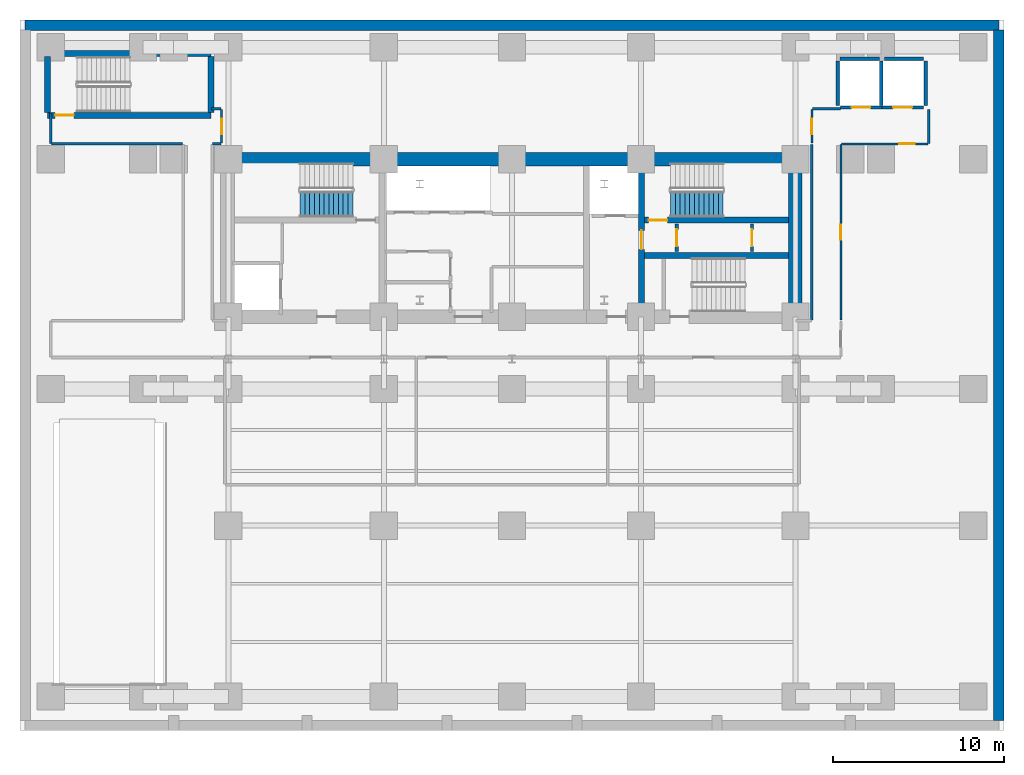
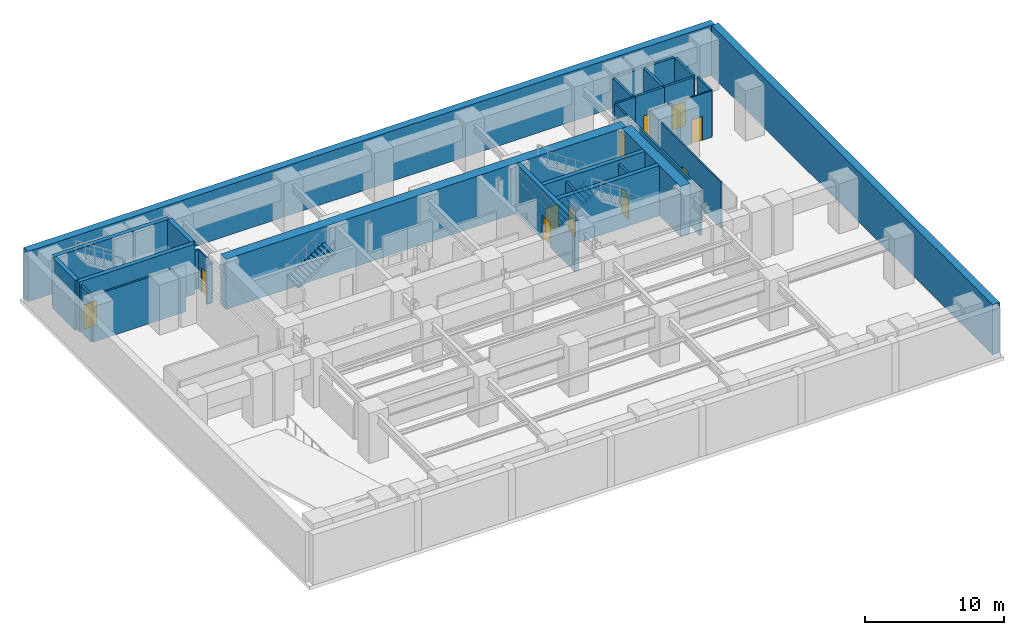
# One storey, part 4 of 9: 31 walls, 11 doors, 2 stair flights, 11 openings, 2 elements without a shape of their own.
"""IFC4 building model written with IfcOpenShell, lengths in metres."""

from ifc_helpers import new_model, si_unit, direction, frame, frame_2d, origin, place, context, subcontext, project, spatial, polyline, rectangle, outline, extrude, material, layer, layer_set, type_object, element, fill, aggregate, save


model = new_model("IFC4")

# Units and contexts
model_context = context("Model", 3, precision=1e-05, world=origin(), true_north=direction((0.0, 1.0)))
body_context = subcontext(model_context, "Body", "Model", "MODEL_VIEW")
ifc_project = project(units=[si_unit("LENGTHUNIT", "METRE"), si_unit("AREAUNIT", "SQUARE_METRE"), si_unit("VOLUMEUNIT", "CUBIC_METRE"), si_unit("PLANEANGLEUNIT", "RADIAN"), si_unit("MASSUNIT", "GRAM", prefix="KILO")], contexts=[model_context])

# Site, building, storey
site_placement = place(None, origin())
site = spatial("IfcSite", under=ifc_project, at=site_placement, CompositionType="ELEMENT")
building_placement = place(site_placement, origin())
building = spatial("IfcBuilding", under=site, at=building_placement, Name="Zarnavel Station Tower", CompositionType="ELEMENT")
storey_placement = place(building_placement, frame((0.0, 0.0, -8.800048828125)))
storey = spatial("IfcBuildingStorey", under=building, at=storey_placement, Name="B02", CompositionType="ELEMENT", Elevation=-8.800048828125)

# Wall, opening, door
ifc_material_1 = material(Name="Concrete C50/60", Category="concrete")
ifc_layer_1 = layer(ifc_material_1, 0.35009765625)
ifc_layer_set_1 = layer_set([ifc_layer_1], Name="CW_350")
wall_type_1 = type_object("IfcWallType", Name="CW_350", PredefinedType="SHEAR", material=ifc_layer_set_1)
wall_1_placement = place(storey_placement, frame((36.3798828125, 28.219970703125, 0.0), z_axis=(0.0, 0.0, 1.0), x_axis=(0.0, 1.0, 0.0)))
wall_1 = element("IfcWall", 1, at=wall_1_placement, inside=storey, type_object=wall_type_1, Name="B02 Rear Core Shear Wall DIV-S2", PredefinedType="SHEAR", context=body_context, shape_type="SweptSolid", body=[
    extrude(rectangle(XDim=8.429931640625, YDim=0.35009765625, at=frame_2d((4.21484375, 0.0))), origin(), (0.0, 0.0, 1.0), 4.400146484375),
])
opening_1_placement = place(wall_1_placement, frame((3.56005859375, 0.0, 0.0)))
opening_1 = element("IfcOpeningElement", 2, at=opening_1_placement, cuts=wall_1, Name="Opening FD01", PredefinedType="OPENING", context=body_context, shape_type="SweptSolid", body=[
    extrude(rectangle(XDim=1.10009765625, YDim=2.14990234375, at=frame_2d((0.550048828125, 1.074951171875))), frame((0.0, 0.18505859375, 0.0), z_axis=(0.0, -1.0, 0.0), x_axis=(1.0, 0.0, 0.0)), (0.0, 0.0, 1.0), 0.3701171875),
])
ifc_material_2 = material(Name="Painted Galvanised Steel and Hardwood Leaf", Category="steel")
door_type_1 = type_object("IfcDoorType", Name="ID_STAIR_1100", OperationType="NOTDEFINED", PredefinedType="DOOR", material=ifc_material_2)
door_1_placement = place(opening_1_placement, origin())
door_1 = element("IfcDoor", 3, at=door_1_placement, inside=storey, type_object=door_type_1, Name="B02 East Stair Vestibule Fire Door", OperationType="SINGLE_SWING_LEFT", OverallHeight=2.14990234375, OverallWidth=1.10009765625, PredefinedType="DOOR", context=body_context, shape_type="SweptSolid", body=[
    extrude(rectangle(XDim=1.10009765625, YDim=2.14990234375, at=frame_2d((0.550048828125, 1.074951171875))), frame((0.0, 0.02490234375, 0.0), z_axis=(0.0, -1.0, 0.0), x_axis=(1.0, 0.0, 0.0)), (0.0, 0.0, 1.0), 0.050048828125),
])
fill(opening_1, door_1)

wall_2_placement = place(storey_placement, frame((44.97998046875, 33.47998046875, 0.0), z_axis=(0.0, 0.0, 1.0), x_axis=(-1.0, 0.0, 0.0)))
wall_2 = element("IfcWall", 4, at=wall_2_placement, inside=storey, type_object=wall_type_1, Name="B02 Rear Core Shear Wall DIV-H2", PredefinedType="SHEAR", context=body_context, shape_type="SweptSolid", body=[
    extrude(rectangle(XDim=8.425048828125, YDim=0.35009765625, at=frame_2d((4.21240234375, 0.0))), origin(), (0.0, 0.0, 1.0), 4.400146484375),
])
opening_2_placement = place(wall_2_placement, frame((7.080078125, 0.0, 0.0)))
opening_2 = element("IfcOpeningElement", 5, at=opening_2_placement, cuts=wall_2, Name="Opening FD01", PredefinedType="OPENING", context=body_context, shape_type="SweptSolid", body=[
    extrude(rectangle(XDim=1.10009765625, YDim=2.14990234375, at=frame_2d((0.550048828125, 1.074951171875))), frame((0.0, 0.18505859375, 0.0), z_axis=(0.0, -1.0, 0.0), x_axis=(1.0, 0.0, 0.0)), (0.0, 0.0, 1.0), 0.3701171875),
])
door_2_placement = place(opening_2_placement, origin())
door_2 = element("IfcDoor", 6, at=door_2_placement, inside=storey, type_object=door_type_1, Name="B02 Stair ST2 Lobby Fire Door", OperationType="SINGLE_SWING_RIGHT", OverallHeight=2.14990234375, OverallWidth=1.10009765625, PredefinedType="DOOR", context=body_context, shape_type="SweptSolid", body=[
    extrude(rectangle(XDim=1.10009765625, YDim=2.14990234375, at=frame_2d((0.550048828125, 1.074951171875))), frame((0.0, 0.02490234375, 0.0), z_axis=(0.0, -1.0, 0.0), x_axis=(1.0, 0.0, 0.0)), (0.0, 0.0, 1.0), 0.050048828125),
])
fill(opening_2, door_2)

# Walls
wall_3_placement = place(storey_placement, frame((36.554931640625, 31.419921875, 0.0), z_axis=(0.0, 0.0, 1.0), x_axis=(1.0, 0.0, 0.0)))
element("IfcWall", 7, at=wall_3_placement, inside=storey, type_object=wall_type_1, Name="B02 Rear Core Shear Wall DIV-H3", PredefinedType="SHEAR", context=body_context, shape_type="SweptSolid", body=[
    extrude(rectangle(XDim=8.425048828125, YDim=0.35009765625, at=frame_2d((4.21240234375, 0.0))), origin(), (0.0, 0.0, 1.0), 4.400146484375),
])
wall_4_placement = place(storey_placement, frame((1.6201171875, 43.239990234375, 0.0), z_axis=(0.0, 0.0, 1.0), x_axis=(1.0, 0.0, 0.0)))
element("IfcWall", 8, at=wall_4_placement, inside=storey, type_object=wall_type_1, Name="B02 Rear Core Shear Wall ST4-N", PredefinedType="SHEAR", context=body_context, shape_type="SweptSolid", body=[
    extrude(rectangle(XDim=9.559814453125, YDim=0.35009765625, at=frame_2d((4.77978515625, 0.0))), origin(), (0.0, 0.0, 1.0), 4.400146484375),
])

# Wall, opening, door
wall_5_placement = place(storey_placement, frame((11.179931640625, 39.6201171875, 0.0), z_axis=(0.0, 0.0, 1.0), x_axis=(-1.0, 0.0, 0.0)))
wall_5 = element("IfcWall", 9, at=wall_5_placement, inside=storey, type_object=wall_type_1, Name="B02 Rear Core Shear Wall ST4-S", PredefinedType="SHEAR", context=body_context, shape_type="SweptSolid", body=[
    extrude(rectangle(XDim=9.559814453125, YDim=0.35009765625, at=frame_2d((4.77978515625, 0.0))), origin(), (0.0, 0.0, 1.0), 4.400146484375),
])
opening_3_placement = place(wall_5_placement, frame((8.030029296875, 0.0, 0.0)))
opening_3 = element("IfcOpeningElement", 10, at=opening_3_placement, cuts=wall_5, Name="Opening FD01", PredefinedType="OPENING", context=body_context, shape_type="SweptSolid", body=[
    extrude(rectangle(XDim=1.10009765625, YDim=2.14990234375, at=frame_2d((0.550048828125, 1.074951171875))), frame((0.0, 0.18505859375, 0.0), z_axis=(0.0, -1.0, 0.0), x_axis=(1.0, 0.0, 0.0)), (0.0, 0.0, 1.0), 0.3701171875),
])
door_3_placement = place(opening_3_placement, origin())
door_3 = element("IfcDoor", 11, at=door_3_placement, inside=storey, type_object=door_type_1, Name="B02 Podium Stair ST4 Fire Door", OperationType="SINGLE_SWING_RIGHT", OverallHeight=2.14990234375, OverallWidth=1.10009765625, PredefinedType="DOOR", context=body_context, shape_type="SweptSolid", body=[
    extrude(rectangle(XDim=1.10009765625, YDim=2.14990234375, at=frame_2d((0.550048828125, 1.074951171875))), frame((0.0, 0.02490234375, 0.0), z_axis=(0.0, -1.0, 0.0), x_axis=(1.0, 0.0, 0.0)), (0.0, 0.0, 1.0), 0.050048828125),
])
fill(opening_3, door_3)

# Walls
for number, where, z_axis, x_axis, name in (
    (12, (1.6201171875, 39.794921875, 0.0), (0.0, 0.0, 1.0), (0.0, 1.0, 0.0), "B02 Rear Core Shear Wall ST4-W"),
    (13, (11.179931640625, 39.794921875, 0.0), (0.0, 0.0, 1.0), (0.0, 1.0, 0.0), "B02 Rear Core Shear Wall ST4-E"),
):
    element("IfcWall", number, at=place(storey_placement, frame(where, z_axis=z_axis, x_axis=x_axis)), inside=storey, type_object=wall_type_1, Name=name, PredefinedType="SHEAR", context=body_context, shape_type="SweptSolid", body=[
        extrude(rectangle(XDim=3.27001953125, YDim=0.35009765625, at=frame_2d((1.635009765625, 0.0))), origin(), (0.0, 0.0, 1.0), 4.400146484375),
    ])
ifc_material_3 = material(Name="Concrete C60/75", Category="concrete")
ifc_layer_2 = layer(ifc_material_3, 0.800048828125)
ifc_layer_set_2 = layer_set([ifc_layer_2], Name="CW_800")
wall_type_2 = type_object("IfcWallType", Name="CW_800", PredefinedType="SHEAR", material=ifc_layer_set_2)
wall_6_placement = place(storey_placement, frame((12.14990234375, 37.050048828125, 0.0), z_axis=(0.0, 0.0, 1.0), x_axis=(1.0, 0.0, 0.0)))
element("IfcWall", 14, at=wall_6_placement, inside=storey, type_object=wall_type_2, Name="B02 Rear Core Shear Wall N", PredefinedType="SHEAR", context=body_context, shape_type="SweptSolid", body=[
    extrude(rectangle(XDim=33.22998046875, YDim=0.800048828125, at=frame_2d((16.614990234375, 0.0))), origin(), (0.0, 0.0, 1.0), 4.400146484375),
])
wall_7_placement = place(storey_placement, frame((45.3798828125, 28.219970703125, 0.0), z_axis=(0.0, 0.0, 1.0), x_axis=(0.0, 1.0, 0.0)))
element("IfcWall", 15, at=wall_7_placement, inside=storey, type_object=wall_type_2, Name="B02 Rear Core Shear Wall E", PredefinedType="SHEAR", context=body_context, shape_type="SweptSolid", body=[
    extrude(rectangle(XDim=8.429931640625, YDim=0.800048828125, at=frame_2d((4.21484375, 0.0))), origin(), (0.0, 0.0, 1.0), 4.400146484375),
])
ifc_material_4 = material(Name="Gypsum Twin-Stud Acoustic Fire Partition", Category="concrete")
ifc_layer_3 = layer(ifc_material_4, 0.159912109375)
ifc_layer_set_3 = layer_set([ifc_layer_3], Name="PT_DEMISE_160")
wall_type_3 = type_object("IfcWallType", Name="PT_DEMISE_160", PredefinedType="PARTITIONING", material=ifc_layer_set_3)
wall_8_placement = place(storey_placement, frame((46.3798828125, 40.0, 0.0), z_axis=(0.0, 0.0, 1.0), x_axis=(1.0, 0.0, 0.0)))
element("IfcWall", 16, at=wall_8_placement, inside=storey, type_object=wall_type_3, Name="B02 Enclosure Wall COR-BE", PredefinedType="PARTITIONING", context=body_context, shape_type="SweptSolid", body=[
    extrude(rectangle(XDim=1.64013671875, YDim=0.159912109375, at=frame_2d((0.820068359375, 0.0))), origin(), (0.0, 0.0, 1.0), 4.080078125),
])
wall_9_placement = place(storey_placement, frame((46.35009765625, 27.6298828125, 0.0), z_axis=(0.0, 0.0, 1.0), x_axis=(0.0, 1.0, 0.0)))
element("IfcWall", 17, at=wall_9_placement, inside=storey, type_object=wall_type_3, Name="B02 Enclosure Wall COR-BE", PredefinedType="PARTITIONING", context=body_context, shape_type="SweptSolid", body=[
    extrude(rectangle(XDim=10.2900390625, YDim=0.159912109375, at=frame_2d((5.14501953125, 0.0))), origin(), (0.0, 0.0, 1.0), 4.080078125),
])
wall_10_placement = place(storey_placement, frame((53.199951171875, 37.97998046875, 0.0), z_axis=(0.0, 0.0, 1.0), x_axis=(0.0, 1.0, 0.0)))
element("IfcWall", 18, at=wall_10_placement, inside=storey, type_object=wall_type_3, Name="B02 Enclosure Wall PLLOB", PredefinedType="PARTITIONING", context=body_context, shape_type="SweptSolid", body=[
    extrude(rectangle(XDim=1.989990234375, YDim=0.159912109375, at=frame_2d((0.9951171875, 0.0))), origin(), (0.0, 0.0, 1.0), 4.080078125),
])
wall_11_placement = place(storey_placement, frame((1.830078125, 37.949951171875, 0.0), z_axis=(0.0, 0.0, 1.0), x_axis=(1.0, 0.0, 0.0)))
element("IfcWall", 19, at=wall_11_placement, inside=storey, type_object=wall_type_3, Name="B02 Enclosure Wall COR-BN", PredefinedType="PARTITIONING", context=body_context, shape_type="SweptSolid", body=[
    extrude(rectangle(XDim=7.68994140625, YDim=0.159912109375, at=frame_2d((3.844970703125, 0.0))), origin(), (0.0, 0.0, 1.0), 4.080078125),
])
wall_12_placement = place(storey_placement, frame((11.280029296875, 37.949951171875, 0.0), z_axis=(0.0, 0.0, 1.0), x_axis=(1.0, 0.0, 0.0)))
element("IfcWall", 20, at=wall_12_placement, inside=storey, type_object=wall_type_3, Name="B02 Enclosure Wall COR-BN", PredefinedType="PARTITIONING", context=body_context, shape_type="SweptSolid", body=[
    extrude(rectangle(XDim=0.489990234375, YDim=0.159912109375, at=frame_2d((0.2451171875, 0.0))), origin(), (0.0, 0.0, 1.0), 3.41015625),
])
wall_13_placement = place(storey_placement, frame((11.2099609375, 40.0, 0.0), z_axis=(0.0, 0.0, 1.0), x_axis=(1.0, 0.0, 0.0)))
element("IfcWall", 21, at=wall_13_placement, inside=storey, type_object=wall_type_3, Name="B02 Enclosure Wall COR-BN", PredefinedType="PARTITIONING", context=body_context, shape_type="SweptSolid", body=[
    extrude(rectangle(XDim=0.56005859375, YDim=0.159912109375, at=frame_2d((0.280029296875, 0.0))), origin(), (0.0, 0.0, 1.0), 3.41015625),
])
wall_14_placement = place(storey_placement, frame((1.800048828125, 37.97998046875, 0.0), z_axis=(0.0, 0.0, 1.0), x_axis=(0.0, 1.0, 0.0)))
element("IfcWall", 22, at=wall_14_placement, inside=storey, type_object=wall_type_3, Name="B02 Enclosure Wall COR-BN", PredefinedType="PARTITIONING", context=body_context, shape_type="SweptSolid", body=[
    extrude(rectangle(XDim=1.784912109375, YDim=0.159912109375, at=frame_2d((0.892578125, 0.0))), origin(), (0.0, 0.0, 1.0), 4.080078125),
])

# Wall, opening, door
ifc_material_5 = material(Name="Gypsum Metal-Stud Interior Partition", Category="concrete")
ifc_layer_4 = layer(ifc_material_5, 0.1201171875)
ifc_layer_set_4 = layer_set([ifc_layer_4], Name="PT_ROOM_120")
wall_type_4 = type_object("IfcWallType", Name="PT_ROOM_120", PredefinedType="PARTITIONING", material=ifc_layer_set_4)
wall_15_placement = place(storey_placement, frame((48.050048828125, 27.639892578125, 0.0), z_axis=(0.0, 0.0, 1.0), x_axis=(0.0, 1.0, 0.0)))
wall_15 = element("IfcWall", 23, at=wall_15_placement, inside=storey, type_object=wall_type_4, Name="B02 Partition COR-BE-CPK-E", PredefinedType="PARTITIONING", context=body_context, shape_type="SweptSolid", body=[
    extrude(rectangle(XDim=10.27001953125, YDim=0.1201171875, at=frame_2d((5.135009765625, 0.0))), origin(), (0.0, 0.0, 1.0), 4.080078125),
])
opening_4_placement = place(wall_15_placement, frame((4.68505859375, 0.0, 0.0)))
opening_4 = element("IfcOpeningElement", 24, at=opening_4_placement, cuts=wall_15, Name="Opening ID01", PredefinedType="OPENING", context=body_context, shape_type="SweptSolid", body=[
    extrude(rectangle(XDim=0.89990234375, YDim=2.10009765625, at=frame_2d((0.449951171875, 1.050048828125))), frame((0.0, 0.070068359375, 0.0), z_axis=(0.0, -1.0, 0.0), x_axis=(1.0, 0.0, 0.0)), (0.0, 0.0, 1.0), 0.14013671875),
])
ifc_material_6 = material(Name="Painted Galvanised Steel and Hardwood Leaf", Category="steel")
door_type_2 = type_object("IfcDoorType", Name="ID_ROOM_900", OperationType="NOTDEFINED", PredefinedType="DOOR", material=ifc_material_6)
door_4_placement = place(opening_4_placement, origin())
door_4 = element("IfcDoor", 25, at=door_4_placement, inside=storey, type_object=door_type_2, Name="B02 Door COR-BE-CPK-E", OperationType="SINGLE_SWING_LEFT", OverallHeight=2.10009765625, OverallWidth=0.89990234375, PredefinedType="DOOR", context=body_context, shape_type="SweptSolid", body=[
    extrude(rectangle(XDim=0.89990234375, YDim=2.10009765625, at=frame_2d((0.449951171875, 1.050048828125))), frame((0.0, 0.02490234375, 0.0), z_axis=(0.0, -1.0, 0.0), x_axis=(1.0, 0.0, 0.0)), (0.0, 0.0, 1.0), 0.050048828125),
])
fill(opening_4, door_4)

wall_16_placement = place(storey_placement, frame((46.35009765625, 37.989990234375, 0.0), z_axis=(0.0, 0.0, 1.0), x_axis=(0.0, 1.0, 0.0)))
wall_16 = element("IfcWall", 26, at=wall_16_placement, inside=storey, type_object=wall_type_4, Name="B02 Partition COR-BE-CPK-N", PredefinedType="PARTITIONING", context=body_context, shape_type="SweptSolid", body=[
    extrude(rectangle(XDim=1.969970703125, YDim=0.1201171875, at=frame_2d((0.98486328125, 0.0))), origin(), (0.0, 0.0, 1.0), 4.080078125),
])
opening_5_placement = place(wall_16_placement, frame((0.534912109375, 0.0, 0.0)))
opening_5 = element("IfcOpeningElement", 27, at=opening_5_placement, cuts=wall_16, Name="Opening ID01", PredefinedType="OPENING", context=body_context, shape_type="SweptSolid", body=[
    extrude(rectangle(XDim=0.89990234375, YDim=2.10009765625, at=frame_2d((0.449951171875, 1.050048828125))), frame((0.0, 0.070068359375, 0.0), z_axis=(0.0, -1.0, 0.0), x_axis=(1.0, 0.0, 0.0)), (0.0, 0.0, 1.0), 0.14013671875),
])
door_5_placement = place(opening_5_placement, origin())
door_5 = element("IfcDoor", 28, at=door_5_placement, inside=storey, type_object=door_type_2, Name="B02 Door COR-BE-CPK-N", OperationType="SINGLE_SWING_RIGHT", OverallHeight=2.10009765625, OverallWidth=0.89990234375, PredefinedType="DOOR", context=body_context, shape_type="SweptSolid", body=[
    extrude(rectangle(XDim=0.89990234375, YDim=2.10009765625, at=frame_2d((0.449951171875, 1.050048828125))), frame((0.0, 0.02490234375, 0.0), z_axis=(0.0, -1.0, 0.0), x_axis=(1.0, 0.0, 0.0)), (0.0, 0.0, 1.0), 0.050048828125),
])
fill(opening_5, door_5)

wall_17_placement = place(storey_placement, frame((48.090087890625, 37.949951171875, 0.0), z_axis=(0.0, 0.0, 1.0), x_axis=(1.0, 0.0, 0.0)))
wall_17 = element("IfcWall", 29, at=wall_17_placement, inside=storey, type_object=wall_type_4, Name="B02 Partition PLLOB-CPK-E", PredefinedType="PARTITIONING", context=body_context, shape_type="SweptSolid", body=[
    extrude(rectangle(XDim=5.06982421875, YDim=0.1201171875, at=frame_2d((2.534912109375, 0.0))), origin(), (0.0, 0.0, 1.0), 4.080078125),
])
opening_6_placement = place(wall_17_placement, frame((3.381591796875, 0.0, 0.0)))
opening_6 = element("IfcOpeningElement", 30, at=opening_6_placement, cuts=wall_17, Name="Opening ID01", PredefinedType="OPENING", context=body_context, shape_type="SweptSolid", body=[
    extrude(rectangle(XDim=0.89990234375, YDim=2.10009765625, at=frame_2d((0.449951171875, 1.050048828125))), frame((0.0, 0.070068359375, 0.0), z_axis=(0.0, -1.0, 0.0), x_axis=(1.0, 0.0, 0.0)), (0.0, 0.0, 1.0), 0.14013671875),
])
door_6_placement = place(opening_6_placement, origin())
door_6 = element("IfcDoor", 31, at=door_6_placement, inside=storey, type_object=door_type_2, Name="B02 Door PLLOB-CPK-E", OperationType="SINGLE_SWING_LEFT", OverallHeight=2.10009765625, OverallWidth=0.89990234375, PredefinedType="DOOR", context=body_context, shape_type="SweptSolid", body=[
    extrude(rectangle(XDim=0.89990234375, YDim=2.10009765625, at=frame_2d((0.449951171875, 1.050048828125))), frame((0.0, 0.02490234375, 0.0), z_axis=(0.0, -1.0, 0.0), x_axis=(1.0, 0.0, 0.0)), (0.0, 0.0, 1.0), 0.050048828125),
])
fill(opening_6, door_6)

wall_18_placement = place(storey_placement, frame((11.800048828125, 37.989990234375, 0.0), z_axis=(0.0, 0.0, 1.0), x_axis=(0.0, 1.0, 0.0)))
wall_18 = element("IfcWall", 32, at=wall_18_placement, inside=storey, type_object=wall_type_4, Name="B02 Partition COR-BN-CPK-N", PredefinedType="PARTITIONING", context=body_context, shape_type="SweptSolid", body=[
    extrude(rectangle(XDim=1.969970703125, YDim=0.1201171875, at=frame_2d((0.98486328125, 0.0))), origin(), (0.0, 0.0, 1.0), 3.41015625),
])
opening_7_placement = place(wall_18_placement, frame((0.534912109375, 0.0, 0.0)))
opening_7 = element("IfcOpeningElement", 33, at=opening_7_placement, cuts=wall_18, Name="Opening ID01", PredefinedType="OPENING", context=body_context, shape_type="SweptSolid", body=[
    extrude(rectangle(XDim=0.89990234375, YDim=2.10009765625, at=frame_2d((0.449951171875, 1.050048828125))), frame((0.0, 0.070068359375, 0.0), z_axis=(0.0, -1.0, 0.0), x_axis=(1.0, 0.0, 0.0)), (0.0, 0.0, 1.0), 0.14013671875),
])
door_7_placement = place(opening_7_placement, origin())
door_7 = element("IfcDoor", 34, at=door_7_placement, inside=storey, type_object=door_type_2, Name="B02 Door COR-BN-CPK-N", OperationType="SINGLE_SWING_RIGHT", OverallHeight=2.10009765625, OverallWidth=0.89990234375, PredefinedType="DOOR", context=body_context, shape_type="SweptSolid", body=[
    extrude(rectangle(XDim=0.89990234375, YDim=2.10009765625, at=frame_2d((0.449951171875, 1.050048828125))), frame((0.0, 0.02490234375, 0.0), z_axis=(0.0, -1.0, 0.0), x_axis=(1.0, 0.0, 0.0)), (0.0, 0.0, 1.0), 0.050048828125),
])
fill(opening_7, door_7)

ifc_material_7 = material(Name="Precast concrete C45/55 (Fire Shaft Blockwork)", Category="masonry")
ifc_layer_5 = layer(ifc_material_7, 0.199951171875)
ifc_layer_set_5 = layer_set([ifc_layer_5], Name="PT_SHAFT_200")
wall_type_5 = type_object("IfcWallType", Name="PT_SHAFT_200", PredefinedType="PARTITIONING", material=ifc_layer_set_5)
wall_19_placement = place(storey_placement, frame((48.02001953125, 40.080078125, 0.0), z_axis=(0.0, 0.0, 1.0), x_axis=(1.0, 0.0, 0.0)))
wall_19 = element("IfcWall", 35, at=wall_19_placement, inside=storey, type_object=wall_type_5, Name="B02 Lift PL-P1 Shaft Front Wall", PredefinedType="PARTITIONING", context=body_context, shape_type="SweptSolid", body=[
    extrude(rectangle(XDim=2.429931640625, YDim=0.199951171875, at=frame_2d((1.21484375, 0.0))), origin(), (0.0, 0.0, 1.0), 4.080078125),
])
opening_8_placement = place(wall_19_placement, frame((0.6650390625, 0.0, 0.0)))
opening_8 = element("IfcOpeningElement", 36, at=opening_8_placement, cuts=wall_19, Name="Opening LD02", PredefinedType="OPENING", context=body_context, shape_type="SweptSolid", body=[
    extrude(rectangle(XDim=1.10009765625, YDim=2.14990234375, at=frame_2d((0.550048828125, 1.074951171875))), frame((0.0, 0.10986328125, 0.0), z_axis=(0.0, -1.0, 0.0), x_axis=(1.0, 0.0, 0.0)), (0.0, 0.0, 1.0), 0.219970703125),
])
ifc_material_8 = material(Name="Painted Galvanised Steel and Hardwood Leaf", Category="steel")
door_type_3 = type_object("IfcDoorType", Name="LD_PAX_1100", OperationType="DOUBLE_DOOR_SLIDING", PredefinedType="DOOR", material=ifc_material_8)
door_8_placement = place(opening_8_placement, origin())
door_8 = element("IfcDoor", 37, at=door_8_placement, inside=storey, type_object=door_type_3, Name="B02 Lift PL-P1 Sliding Landing Door", OperationType="DOUBLE_DOOR_SLIDING", OverallHeight=2.14990234375, OverallWidth=1.10009765625, PredefinedType="DOOR", context=body_context, shape_type="SweptSolid", body=[
    extrude(rectangle(XDim=1.10009765625, YDim=2.14990234375, at=frame_2d((0.550048828125, 1.074951171875))), frame((0.0, 0.02490234375, 0.0), z_axis=(0.0, -1.0, 0.0), x_axis=(1.0, 0.0, 0.0)), (0.0, 0.0, 1.0), 0.050048828125),
])
fill(opening_8, door_8)

# Walls
wall_20_placement = place(storey_placement, frame((48.0, 42.919921875, 0.0), z_axis=(0.0, 0.0, 1.0), x_axis=(1.0, 0.0, 0.0)))
element("IfcWall", 38, at=wall_20_placement, inside=storey, type_object=wall_type_5, Name="B02 Lift PL-P1 Shaft Wall N", PredefinedType="PARTITIONING", context=body_context, shape_type="SweptSolid", body=[
    extrude(rectangle(XDim=2.300048828125, YDim=0.199951171875, at=frame_2d((1.14990234375, 0.0))), origin(), (0.0, 0.0, 1.0), 4.080078125),
])
for number, where, z_axis, x_axis, name in (
    (39, (47.8798828125, 40.199951171875, 0.0), (0.0, 0.0, 1.0), (0.0, 1.0, 0.0), "B02 Lift PL-P1 Shaft Wall W"),
    (40, (50.419921875, 40.199951171875, 0.0), (0.0, 0.0, 1.0), (0.0, 1.0, 0.0), "B02 Lift PL-P1 Shaft Wall E"),
):
    element("IfcWall", number, at=place(storey_placement, frame(where, z_axis=z_axis, x_axis=x_axis)), inside=storey, type_object=wall_type_5, Name=name, PredefinedType="PARTITIONING", context=body_context, shape_type="SweptSolid", body=[
        extrude(rectangle(XDim=2.60009765625, YDim=0.199951171875, at=frame_2d((1.300048828125, 0.0))), origin(), (0.0, 0.0, 1.0), 4.080078125),
    ])

# Wall, opening, door
wall_21_placement = place(storey_placement, frame((50.449951171875, 40.080078125, 0.0), z_axis=(0.0, 0.0, 1.0), x_axis=(1.0, 0.0, 0.0)))
wall_21 = element("IfcWall", 41, at=wall_21_placement, inside=storey, type_object=wall_type_5, Name="B02 Lift PL-P2 Shaft Front Wall", PredefinedType="PARTITIONING", context=body_context, shape_type="SweptSolid", body=[
    extrude(rectangle(XDim=2.429931640625, YDim=0.199951171875, at=frame_2d((1.21484375, 0.0))), origin(), (0.0, 0.0, 1.0), 4.080078125),
])
opening_9_placement = place(wall_21_placement, frame((0.6650390625, 0.0, 0.0)))
opening_9 = element("IfcOpeningElement", 42, at=opening_9_placement, cuts=wall_21, Name="Opening LD02", PredefinedType="OPENING", context=body_context, shape_type="SweptSolid", body=[
    extrude(rectangle(XDim=1.10009765625, YDim=2.14990234375, at=frame_2d((0.550048828125, 1.074951171875))), frame((0.0, 0.10986328125, 0.0), z_axis=(0.0, -1.0, 0.0), x_axis=(1.0, 0.0, 0.0)), (0.0, 0.0, 1.0), 0.219970703125),
])
door_9_placement = place(opening_9_placement, origin())
door_9 = element("IfcDoor", 43, at=door_9_placement, inside=storey, type_object=door_type_3, Name="B02 Lift PL-P2 Sliding Landing Door", OperationType="DOUBLE_DOOR_SLIDING", OverallHeight=2.14990234375, OverallWidth=1.10009765625, PredefinedType="DOOR", context=body_context, shape_type="SweptSolid", body=[
    extrude(rectangle(XDim=1.10009765625, YDim=2.14990234375, at=frame_2d((0.550048828125, 1.074951171875))), frame((0.0, 0.02490234375, 0.0), z_axis=(0.0, -1.0, 0.0), x_axis=(1.0, 0.0, 0.0)), (0.0, 0.0, 1.0), 0.050048828125),
])
fill(opening_9, door_9)

# Walls
wall_22_placement = place(storey_placement, frame((50.60009765625, 42.919921875, 0.0), z_axis=(0.0, 0.0, 1.0), x_axis=(1.0, 0.0, 0.0)))
element("IfcWall", 44, at=wall_22_placement, inside=storey, type_object=wall_type_5, Name="B02 Lift PL-P2 Shaft Wall N", PredefinedType="PARTITIONING", context=body_context, shape_type="SweptSolid", body=[
    extrude(rectangle(XDim=2.2998046875, YDim=0.199951171875, at=frame_2d((1.14990234375, 0.0))), origin(), (0.0, 0.0, 1.0), 4.080078125),
])
wall_23_placement = place(storey_placement, frame((53.02001953125, 40.199951171875, 0.0), z_axis=(0.0, 0.0, 1.0), x_axis=(0.0, 1.0, 0.0)))
element("IfcWall", 45, at=wall_23_placement, inside=storey, type_object=wall_type_5, Name="B02 Lift PL-P2 Shaft Wall E", PredefinedType="PARTITIONING", context=body_context, shape_type="SweptSolid", body=[
    extrude(rectangle(XDim=2.60009765625, YDim=0.199951171875, at=frame_2d((1.300048828125, 0.0))), origin(), (0.0, 0.0, 1.0), 4.080078125),
])

# Wall, opening, door
wall_24_placement = place(storey_placement, frame((38.449951171875, 31.639892578125, 0.0), z_axis=(0.0, 0.0, 1.0), x_axis=(0.0, 1.0, 0.0)))
wall_24 = element("IfcWall", 46, at=wall_24_placement, inside=storey, type_object=wall_type_5, Name="B02 Partition ESTV-CEA", PredefinedType="PARTITIONING", context=body_context, shape_type="SweptSolid", body=[
    extrude(rectangle(XDim=1.6201171875, YDim=0.199951171875, at=frame_2d((0.81005859375, 0.0))), origin(), (0.0, 0.0, 1.0), 4.080078125),
])
opening_10_placement = place(wall_24_placement, frame((0.31005859375, 0.0, 0.0)))
opening_10 = element("IfcOpeningElement", 47, at=opening_10_placement, cuts=wall_24, Name="Opening FD02", PredefinedType="OPENING", context=body_context, shape_type="SweptSolid", body=[
    extrude(rectangle(XDim=1.0, YDim=2.14990234375, at=frame_2d((0.5, 1.074951171875))), frame((0.0, 0.10986328125, 0.0), z_axis=(0.0, -1.0, 0.0), x_axis=(1.0, 0.0, 0.0)), (0.0, 0.0, 1.0), 0.219970703125),
])
ifc_material_9 = material(Name="Painted Galvanised Steel and Hardwood Leaf", Category="steel")
door_type_4 = type_object("IfcDoorType", Name="ID_ENTRY_1000", OperationType="NOTDEFINED", PredefinedType="DOOR", material=ifc_material_9)
door_10_placement = place(opening_10_placement, origin())
door_10 = element("IfcDoor", 48, at=door_10_placement, inside=storey, type_object=door_type_4, Name="B02 Door ESTV-CEA", OperationType="SINGLE_SWING_RIGHT", OverallHeight=2.14990234375, OverallWidth=1.0, PredefinedType="DOOR", context=body_context, shape_type="SweptSolid", body=[
    extrude(rectangle(XDim=1.0, YDim=2.14990234375, at=frame_2d((0.5, 1.074951171875))), frame((0.0, 0.02490234375, 0.0), z_axis=(0.0, -1.0, 0.0), x_axis=(1.0, 0.0, 0.0)), (0.0, 0.0, 1.0), 0.050048828125),
])
fill(opening_10, door_10)

wall_25_placement = place(storey_placement, frame((42.85009765625, 31.639892578125, 0.0), z_axis=(0.0, 0.0, 1.0), x_axis=(0.0, 1.0, 0.0)))
wall_25 = element("IfcWall", 49, at=wall_25_placement, inside=storey, type_object=wall_type_5, Name="B02 Partition CEA-CEB", PredefinedType="PARTITIONING", context=body_context, shape_type="SweptSolid", body=[
    extrude(rectangle(XDim=1.6201171875, YDim=0.199951171875, at=frame_2d((0.81005859375, 0.0))), origin(), (0.0, 0.0, 1.0), 4.080078125),
])
opening_11_placement = place(wall_25_placement, frame((0.31005859375, 0.0, 0.0)))
opening_11 = element("IfcOpeningElement", 50, at=opening_11_placement, cuts=wall_25, Name="Opening FD02", PredefinedType="OPENING", context=body_context, shape_type="SweptSolid", body=[
    extrude(rectangle(XDim=1.0, YDim=2.14990234375, at=frame_2d((0.5, 1.074951171875))), frame((0.0, 0.10986328125, 0.0), z_axis=(0.0, -1.0, 0.0), x_axis=(1.0, 0.0, 0.0)), (0.0, 0.0, 1.0), 0.219970703125),
])
door_11_placement = place(opening_11_placement, origin())
door_11 = element("IfcDoor", 51, at=door_11_placement, inside=storey, type_object=door_type_4, Name="B02 Door CEA-CEB", OperationType="SINGLE_SWING_LEFT", OverallHeight=2.14990234375, OverallWidth=1.0, PredefinedType="DOOR", context=body_context, shape_type="SweptSolid", body=[
    extrude(rectangle(XDim=1.0, YDim=2.14990234375, at=frame_2d((0.5, 1.074951171875))), frame((0.0, 0.02490234375, 0.0), z_axis=(0.0, -1.0, 0.0), x_axis=(1.0, 0.0, 0.0)), (0.0, 0.0, 1.0), 0.050048828125),
])
fill(opening_11, door_11)

# Walls
ifc_material_10 = material(Name="Concrete C45/55", Category="concrete")
ifc_layer_6 = layer(ifc_material_10, 0.60009765625)
ifc_layer_set_6 = layer_set([ifc_layer_6], Name="RW_600")
wall_type_6 = type_object("IfcWallType", Name="RW_600", PredefinedType="USERDEFINED", material=ifc_layer_set_6)
wall_26_placement = place(storey_placement, frame((0.300048828125, 44.89990234375, 0.0), z_axis=(0.0, 0.0, 1.0), x_axis=(1.0, 0.0, 0.0)))
element("IfcWall", 52, at=wall_26_placement, inside=storey, type_object=wall_type_6, Name="B02 Perimeter Retaining Wall N", ObjectType="RETAININGWALL", PredefinedType="USERDEFINED", context=body_context, shape_type="SweptSolid", body=[
    extrude(rectangle(XDim=57.0, YDim=0.60009765625, at=frame_2d((28.5, 0.0))), origin(), (0.0, 0.0, 1.0), 4.400146484375),
])
wall_27_placement = place(storey_placement, frame((57.300048828125, 4.199951171875, 0.0), z_axis=(0.0, 0.0, 1.0), x_axis=(0.0, 1.0, 0.0)))
element("IfcWall", 53, at=wall_27_placement, inside=storey, type_object=wall_type_6, Name="B02 Perimeter Retaining Wall E", ObjectType="RETAININGWALL", PredefinedType="USERDEFINED", context=body_context, shape_type="SweptSolid", body=[
    extrude(rectangle(XDim=40.400146484375, YDim=0.60009765625, at=frame_2d((20.2001953125, 0.0))), origin(), (0.0, 0.0, 1.0), 4.400146484375),
])

# Stair, stair flight
ifc_material_11 = material(Name="Concrete C45/55", Category="concrete")
stair_type = type_object("IfcStairType", Name="ST_CORE_150", PredefinedType="HALF_TURN_STAIR", material=ifc_material_11)
stair_1_placement = place(storey_placement, origin())
stair_1 = element("IfcStair", 54, at=stair_1_placement, inside=storey, type_object=stair_type, Name="B02 Core Exit Stair ST1", PredefinedType="HALF_TURN_STAIR")
ifc_material_12 = material(Name="Concrete C45/55", Category="concrete")
ifc_layer_7 = layer(ifc_material_12, 0.179931640625)
ifc_layer_set_7 = layer_set([ifc_layer_7], Name="ST_CORE_150_FLT")
stair_flight_type = type_object("IfcStairFlightType", Name="ST_CORE_150_FLT", PredefinedType="STRAIGHT", material=ifc_layer_set_7)
stair_flight_1_placement = place(storey_placement, frame((16.39990234375, 34.409912109375, 2.199951171875), z_axis=(0.0, 0.0, 1.0), x_axis=(1.0, 0.0, 0.0)))
stair_flight_1 = element("IfcStairFlight", 55, at=stair_flight_1_placement, type_object=stair_flight_type, Name="ST1 flight 2", NumberOfRisers=12, NumberOfTreads=11, PredefinedType="STRAIGHT", RiserHeight=0.183333333, TreadLength=0.28, context=body_context, shape_type="SweptSolid", body=[
    extrude(outline(polyline([(0.0, 0.0), (0.0, 0.183349609375), (0.280029296875, 0.183349609375), (0.280029296875, 0.36669921875), (0.56005859375, 0.36669921875), (0.56005859375, 0.550048828125), (0.840087890625, 0.550048828125), (0.840087890625, 0.7333984375), (1.1201171875, 0.7333984375), (1.1201171875, 0.916748046875), (1.39990234375, 0.916748046875), (1.39990234375, 1.10009765625), (1.679931640625, 1.10009765625), (1.679931640625, 1.283447265625), (1.9599609375, 1.283447265625), (1.9599609375, 1.466552734375), (2.239990234375, 1.466552734375), (2.239990234375, 1.64990234375), (2.52001953125, 1.64990234375), (2.52001953125, 1.833251953125), (2.800048828125, 1.833251953125), (2.800048828125, 2.0166015625), (3.080078125, 2.0166015625), (3.080078125, 2.199951171875), (3.080078125, 1.83740234375), (0.273681640625, 0.0), (0.0, 0.0)])), frame((0.0, 0.75, 0.0), z_axis=(0.0, -1.0, 0.0), x_axis=(1.0, 0.0, 0.0)), (0.0, 0.0, 1.0), 1.5),
])
aggregate(stair_1, [stair_flight_1])

stair_2_placement = place(storey_placement, origin())
stair_2 = element("IfcStair", 56, at=stair_2_placement, inside=storey, type_object=stair_type, Name="B02 Core Exit Stair ST2", PredefinedType="HALF_TURN_STAIR")
stair_flight_2_placement = place(storey_placement, frame((38.080078125, 34.409912109375, 0.0), z_axis=(0.0, 0.0, 1.0), x_axis=(1.0, 0.0, 0.0)))
stair_flight_2 = element("IfcStairFlight", 57, at=stair_flight_2_placement, type_object=stair_flight_type, Name="ST2 flight 1", NumberOfRisers=12, NumberOfTreads=11, PredefinedType="STRAIGHT", RiserHeight=0.183333333, TreadLength=0.28, context=body_context, shape_type="SweptSolid", body=[
    extrude(outline(polyline([(0.0, 0.0), (0.0, 0.183349609375), (0.280029296875, 0.183349609375), (0.280029296875, 0.36669921875), (0.56005859375, 0.36669921875), (0.56005859375, 0.550048828125), (0.840087890625, 0.550048828125), (0.840087890625, 0.7333984375), (1.1201171875, 0.7333984375), (1.1201171875, 0.916748046875), (1.39990234375, 0.916748046875), (1.39990234375, 1.10009765625), (1.679931640625, 1.10009765625), (1.679931640625, 1.283447265625), (1.9599609375, 1.283447265625), (1.9599609375, 1.466552734375), (2.239990234375, 1.466552734375), (2.239990234375, 1.64990234375), (2.52001953125, 1.64990234375), (2.52001953125, 1.833251953125), (2.800048828125, 1.833251953125), (2.800048828125, 2.0166015625), (3.080078125, 2.0166015625), (3.080078125, 2.199951171875), (3.080078125, 1.83740234375), (0.273681640625, 0.0), (0.0, 0.0)])), frame((0.0, 0.75, 0.0), z_axis=(0.0, -1.0, 0.0), x_axis=(1.0, 0.0, 0.0)), (0.0, 0.0, 1.0), 1.5),
])
aggregate(stair_2, [stair_flight_2])

save(model, "model.ifc")
